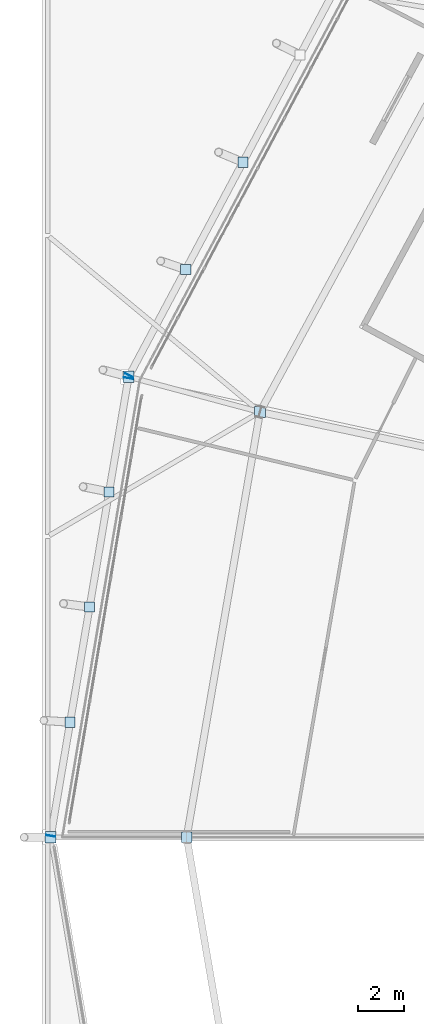
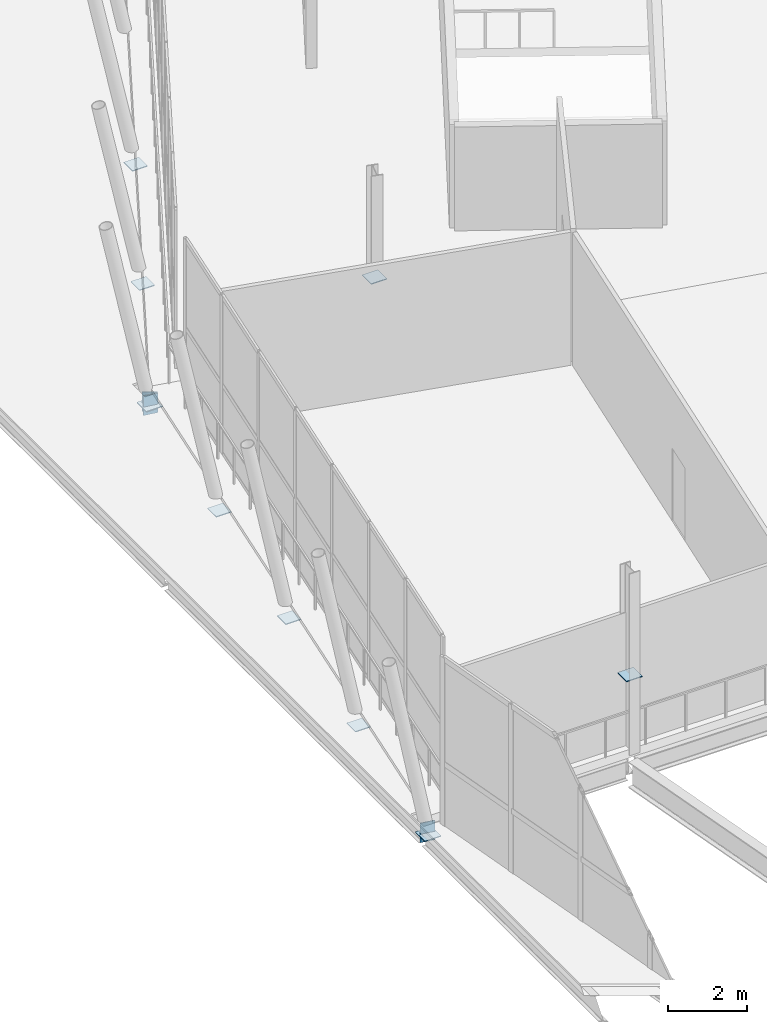
# One storey, part 68 of 99: 12 plates.
"""IFC4 building model written with IfcOpenShell, lengths in metres."""

from ifc_helpers import new_model, si_unit, direction, frame, origin, origin_2d, place, context, subcontext, project, spatial, rectangle, extrude, material, layer, layer_set, type_object, element, save


model = new_model("IFC4")

# Units and contexts
model_context = context("Model", 3, precision=1e-05, world=origin(), true_north=direction((0.0, 1.0)))
body_context = subcontext(model_context, "Body", "Model", "MODEL_VIEW")
ifc_project = project(units=[si_unit("LENGTHUNIT", "METRE"), si_unit("AREAUNIT", "SQUARE_METRE"), si_unit("VOLUMEUNIT", "CUBIC_METRE"), si_unit("PLANEANGLEUNIT", "RADIAN"), si_unit("MASSUNIT", "GRAM", prefix="KILO")], contexts=[model_context])

# Site, building, storey
site_placement = place(None, origin())
site = spatial("IfcSite", under=ifc_project, at=site_placement, CompositionType="ELEMENT")
building_placement = place(site_placement, origin())
building = spatial("IfcBuilding", under=site, at=building_placement, Name="Zlatoyarsky Gate Stadium", CompositionType="ELEMENT")
storey_placement = place(building_placement, frame((0.0, 0.0, 26.199951171875)))
storey = spatial("IfcBuildingStorey", under=building, at=storey_placement, Name="L05", CompositionType="ELEMENT", Elevation=26.199951171875)

# Plates
ifc_material = material(Name="Steel S355", Category="steel")
ifc_layer = layer(ifc_material, 0.02392578125)
ifc_layer_set = layer_set([ifc_layer], Name="Steel S355")
plate_type = type_object("IfcPlateType", Name="STEEL HOLLOW CHORD SPLICE SHEET 24", PredefinedType="SHEET", material=ifc_layer_set)
for number, where, z_axis, x_axis, name in (
    (1, (15.519287109375, 99.950439453125, -0.81005859375), (0.0, 0.0, 1.0), (-0.47018795571, -0.88256630703, 0.0), "Hollow end cap ND-SP1 CAP-L05-SPD-10 B"),
    (2, (15.481201171875, 99.83837890625, -0.81005859375), (0.0, 0.0, 1.0), (-0.16695131311, -0.98596514089, 0.0), "Hollow end cap ND-SP1 CAP-L05-SPD-11 A"),
    (3, (12.1318359375, 80.05908203125, -0.81005859375), (0.0, 0.0, 1.0), (-0.16695131311, -0.98596514089, 0.0), "Hollow end cap ND-SP1 CAP-L05-SPD-11 B"),
):
    element("IfcPlate", number, at=place(storey_placement, frame(where, z_axis=z_axis, x_axis=x_axis)), inside=storey, type_object=plate_type, Name=name, PredefinedType="SHEET", context=body_context, shape_type="SweptSolid", body=[
        extrude(rectangle(XDim=0.02392578125, YDim=0.39990234375, at=origin_2d()), origin(), (0.0, 0.0, 1.0), 0.60009765625),
    ])
for number, where, z_axis, x_axis, name in (
    (4, (15.4912109375, 99.8974609375, -0.572021484375), (0.0, 0.0, 1.0), (1.0, 0.0, 0.0), "Node closure plate ND-SP1 NCAP-L05-RSTR-11"),
    (5, (12.121826171875, 80.0, -0.572021484375), (0.0, 0.0, 1.0), (1.0, 0.0, 0.0), "Node closure plate ND-SP1 NCAP-L05-RSTR-12"),
):
    element("IfcPlate", number, at=place(storey_placement, frame(where, z_axis=z_axis, x_axis=x_axis)), inside=storey, type_object=plate_type, Name=name, PredefinedType="SHEET", context=body_context, shape_type="SweptSolid", body=[
        extrude(rectangle(XDim=0.47998046875, YDim=0.47998046875, at=origin_2d()), origin(), (0.0, 0.0, 1.0), 0.02392578125),
    ])
for number, where, z_axis, x_axis, name in (
    (6, (20.43017578125, 109.168212890625, -0.52197265625), (0.0, 0.0, 1.0), (1.0, 0.0, 0.0), "Node closure plate ND-SP1 NCAP-RIB-10-2-3T"),
    (7, (17.960693359375, 104.532958984375, -0.52197265625), (0.0, 0.0, 1.0), (1.0, 0.0, 0.0), "Node closure plate ND-SP1 NCAP-RIB-10-3-3T"),
    (8, (14.648681640625, 94.923095703125, -0.52197265625), (0.0, 0.0, 1.0), (1.0, 0.0, 0.0), "Node closure plate ND-SP1 NCAP-RIB-11-1-3T"),
    (9, (13.806396484375, 89.94873046875, -0.52197265625), (0.0, 0.0, 1.0), (1.0, 0.0, 0.0), "Node closure plate ND-SP1 NCAP-RIB-11-2-3T"),
    (10, (12.964111328125, 84.974365234375, -0.52197265625), (0.0, 0.0, 1.0), (1.0, 0.0, 0.0), "Node closure plate ND-SP1 NCAP-RIB-11-3-3T"),
):
    element("IfcPlate", number, at=place(storey_placement, frame(where, z_axis=z_axis, x_axis=x_axis)), inside=storey, type_object=plate_type, Name=name, PredefinedType="SHEET", context=body_context, shape_type="SweptSolid", body=[
        extrude(rectangle(XDim=0.43994140625, YDim=0.43994140625, at=origin_2d()), origin(), (0.0, 0.0, 1.0), 0.02392578125),
    ])
for number, where, z_axis, x_axis, name in (
    (11, (21.1689453125, 98.376220703125, 2.2880859375), (0.0, 0.0, 1.0), (1.0, 0.0, 0.0), "Node closure plate ND-SP1 NCAP-BPROP-11"),
    (12, (18.0, 80.0, 2.2880859375), (0.0, 0.0, 1.0), (1.0, 0.0, 0.0), "Node closure plate ND-SP1 NCAP-BPROP-12"),
):
    element("IfcPlate", number, at=place(storey_placement, frame(where, z_axis=z_axis, x_axis=x_axis)), inside=storey, type_object=plate_type, Name=name, PredefinedType="SHEET", context=body_context, shape_type="SweptSolid", body=[
        extrude(rectangle(XDim=0.4599609375, YDim=0.4599609375, at=origin_2d()), origin(), (0.0, 0.0, 1.0), 0.02392578125),
    ])

save(model, "model.ifc")
